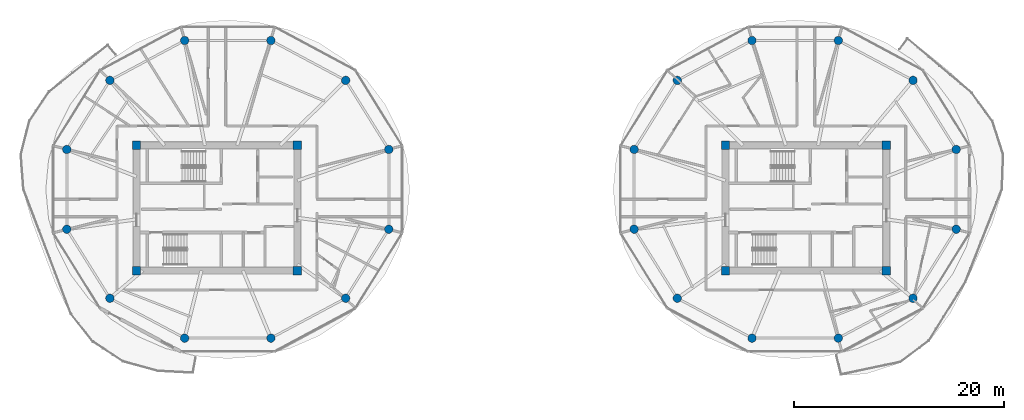
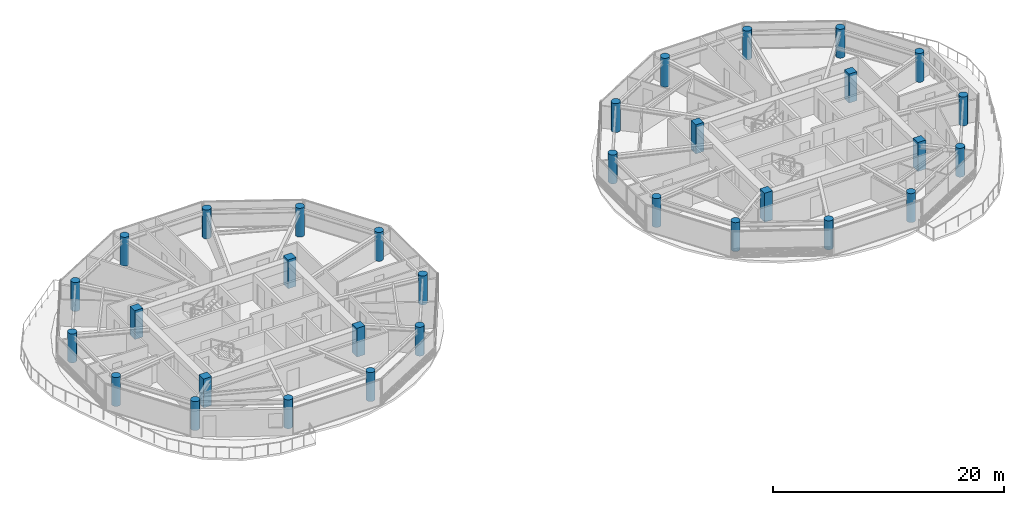
# One storey, part 1 of 23: 32 columns.
"""IFC4 building model written with IfcOpenShell, lengths in metres."""

from ifc_helpers import new_model, si_unit, direction, frame, origin, origin_2d, place, context, subcontext, project, spatial, rectangle, circle, extrude, source, transform, mapped, material, material_profile, profile_set, type_object, type_shapes, element, save


model = new_model("IFC4")

# Units and contexts
model_context = context("Model", 3, precision=1e-05, world=origin(), true_north=direction((0.0, 1.0)))
body_context = subcontext(model_context, "Body", "Model", "MODEL_VIEW")
ifc_project = project(units=[si_unit("LENGTHUNIT", "METRE"), si_unit("AREAUNIT", "SQUARE_METRE"), si_unit("VOLUMEUNIT", "CUBIC_METRE"), si_unit("PLANEANGLEUNIT", "RADIAN"), si_unit("MASSUNIT", "GRAM", prefix="KILO")], contexts=[model_context])

# Site, building, storey
site_placement = place(None, origin())
site = spatial("IfcSite", under=ifc_project, at=site_placement, CompositionType="ELEMENT")
building_placement = place(site_placement, origin())
building = spatial("IfcBuilding", under=site, at=building_placement, Name="Norrkilde Senior Care Towers", CompositionType="ELEMENT")
storey_placement = place(building_placement, frame((0.0, 0.0, 158.699951171875)))
storey = spatial("IfcBuildingStorey", under=building, at=storey_placement, Name="L49", CompositionType="ELEMENT", Elevation=158.699951171875)

# Columns
ifc_material_1 = material(Name="Concrete C60/75", Category="concrete")
ifc_material_profile_1 = material_profile(ifc_material_1, rectangle(XDim=0.800048828125, YDim=0.800048828125, at=origin_2d()), Name="RC COL 800x800")
ifc_profile_set_1 = profile_set([ifc_material_profile_1], Name="Concrete C60/75")
column_type_1 = type_object("IfcColumnType", Name="Column Core Corner Z3-Z4 800", PredefinedType="COLUMN", material=ifc_profile_set_1)
shared_shape_1 = source(origin(), body_context, "Body", "SweptSolid", [
    extrude(rectangle(XDim=0.800048828125, YDim=0.800048828125, at=origin_2d()), origin(), (0.0, 0.0, 1.0), 3.050048828125),
])
type_shapes(column_type_1, [shared_shape_1])
for number, where, z_axis, x_axis, name in (
    (1, (-35.64990234375, -5.949951171875, 0.0), (0.0, 0.0, 1.0), (1.0, 0.0, 0.0), "L49 Core W Corner Column 1"),
    (2, (-20.35009765625, -5.949951171875, 0.0), (0.0, 0.0, 1.0), (1.0, 0.0, 0.0), "L49 Core W Corner Column 2"),
    (3, (-20.35009765625, 5.949951171875, 0.0), (0.0, 0.0, 1.0), (1.0, 0.0, 0.0), "L49 Core W Corner Column 3"),
    (4, (-35.64990234375, 5.949951171875, 0.0), (0.0, 0.0, 1.0), (1.0, 0.0, 0.0), "L49 Core W Corner Column 4"),
    (5, (20.35009765625, -5.949951171875, 0.0), (0.0, 0.0, 1.0), (1.0, 0.0, 0.0), "L49 Core E Corner Column 1"),
    (6, (35.64990234375, -5.949951171875, 0.0), (0.0, 0.0, 1.0), (1.0, 0.0, 0.0), "L49 Core E Corner Column 2"),
    (7, (35.64990234375, 5.949951171875, 0.0), (0.0, 0.0, 1.0), (1.0, 0.0, 0.0), "L49 Core E Corner Column 3"),
    (8, (20.35009765625, 5.949951171875, 0.0), (0.0, 0.0, 1.0), (1.0, 0.0, 0.0), "L49 Core E Corner Column 4"),
):
    element("IfcColumn", number, at=place(storey_placement, frame(where, z_axis=z_axis, x_axis=x_axis)), inside=storey, type_object=column_type_1, Name=name, PredefinedType="COLUMN", context=body_context, shape_type="MappedRepresentation", body=[
        mapped(shared_shape_1, transform((0.0, 0.0, 0.0), x_axis=(1.0, 0.0, 0.0), y_axis=(0.0, 1.0, 0.0), z_axis=(0.0, 0.0, 1.0), scale=1.0)),
    ])
ifc_material_2 = material(Name="Concrete C50/60", Category="concrete")
ifc_material_profile_2 = material_profile(ifc_material_2, circle(Radius=0.39990234375, at=origin_2d()), Name="RC CIR 800")
ifc_profile_set_2 = profile_set([ifc_material_profile_2], Name="Concrete C50/60")
column_type_2 = type_object("IfcColumnType", Name="Column Perimeter Z3 800", PredefinedType="COLUMN", material=ifc_profile_set_2)
shared_shape_2 = source(origin(), body_context, "Body", "SweptSolid", [
    extrude(circle(Radius=0.39990234375, at=origin_2d()), origin(), (0.0, 0.0, 1.0), 3.050048828125),
])
type_shapes(column_type_2, [shared_shape_2])
for number, where, z_axis, x_axis, name in (
    (9, (-11.6650390625, 5.567138671875, 0.0), (0.0, 0.0, 1.0), (1.0, 0.0, 0.0), "L49 Drum W Perimeter Column 01"),
    (10, (-15.767333984375, 12.134521484375, 0.0), (0.0, 0.0, 1.0), (1.0, 0.0, 0.0), "L49 Drum W Perimeter Column 02"),
    (11, (-22.872802734375, 15.92626953125, 0.0), (0.0, 0.0, 1.0), (1.0, 0.0, 0.0), "L49 Drum W Perimeter Column 03"),
    (12, (-31.077392578125, 15.92626953125, 0.0), (0.0, 0.0, 1.0), (1.0, 0.0, 0.0), "L49 Drum W Perimeter Column 04"),
    (13, (-38.1826171875, 12.134521484375, 0.0), (0.0, 0.0, 1.0), (1.0, 0.0, 0.0), "L49 Drum W Perimeter Column 05"),
    (14, (-42.284912109375, 5.567138671875, 0.0), (0.0, 0.0, 1.0), (1.0, 0.0, 0.0), "L49 Drum W Perimeter Column 06"),
    (15, (-42.284912109375, -2.016357421875, 0.0), (0.0, 0.0, 1.0), (1.0, 0.0, 0.0), "L49 Drum W Perimeter Column 07"),
    (16, (-38.1826171875, -8.583740234375, 0.0), (0.0, 0.0, 1.0), (1.0, 0.0, 0.0), "L49 Drum W Perimeter Column 08"),
    (17, (-31.077392578125, -12.37548828125, 0.0), (0.0, 0.0, 1.0), (1.0, 0.0, 0.0), "L49 Drum W Perimeter Column 09"),
    (18, (-22.872802734375, -12.37548828125, 0.0), (0.0, 0.0, 1.0), (1.0, 0.0, 0.0), "L49 Drum W Perimeter Column 10"),
    (19, (-15.767333984375, -8.583740234375, 0.0), (0.0, 0.0, 1.0), (1.0, 0.0, 0.0), "L49 Drum W Perimeter Column 11"),
    (20, (-11.6650390625, -2.016357421875, 0.0), (0.0, 0.0, 1.0), (1.0, 0.0, 0.0), "L49 Drum W Perimeter Column 12"),
    (21, (42.284912109375, 5.567138671875, 0.0), (0.0, 0.0, 1.0), (1.0, 0.0, 0.0), "L49 Drum E Perimeter Column 01"),
    (22, (38.1826171875, 12.134521484375, 0.0), (0.0, 0.0, 1.0), (1.0, 0.0, 0.0), "L49 Drum E Perimeter Column 02"),
    (23, (31.077392578125, 15.92626953125, 0.0), (0.0, 0.0, 1.0), (1.0, 0.0, 0.0), "L49 Drum E Perimeter Column 03"),
    (24, (22.872802734375, 15.92626953125, 0.0), (0.0, 0.0, 1.0), (1.0, 0.0, 0.0), "L49 Drum E Perimeter Column 04"),
    (25, (15.767333984375, 12.134521484375, 0.0), (0.0, 0.0, 1.0), (1.0, 0.0, 0.0), "L49 Drum E Perimeter Column 05"),
    (26, (11.6650390625, 5.567138671875, 0.0), (0.0, 0.0, 1.0), (1.0, 0.0, 0.0), "L49 Drum E Perimeter Column 06"),
    (27, (11.6650390625, -2.016357421875, 0.0), (0.0, 0.0, 1.0), (1.0, 0.0, 0.0), "L49 Drum E Perimeter Column 07"),
    (28, (15.767333984375, -8.583740234375, 0.0), (0.0, 0.0, 1.0), (1.0, 0.0, 0.0), "L49 Drum E Perimeter Column 08"),
    (29, (22.872802734375, -12.37548828125, 0.0), (0.0, 0.0, 1.0), (1.0, 0.0, 0.0), "L49 Drum E Perimeter Column 09"),
    (30, (31.077392578125, -12.37548828125, 0.0), (0.0, 0.0, 1.0), (1.0, 0.0, 0.0), "L49 Drum E Perimeter Column 10"),
    (31, (38.1826171875, -8.583740234375, 0.0), (0.0, 0.0, 1.0), (1.0, 0.0, 0.0), "L49 Drum E Perimeter Column 11"),
    (32, (42.284912109375, -2.016357421875, 0.0), (0.0, 0.0, 1.0), (1.0, 0.0, 0.0), "L49 Drum E Perimeter Column 12"),
):
    element("IfcColumn", number, at=place(storey_placement, frame(where, z_axis=z_axis, x_axis=x_axis)), inside=storey, type_object=column_type_2, Name=name, PredefinedType="COLUMN", context=body_context, shape_type="MappedRepresentation", body=[
        mapped(shared_shape_2, transform((0.0, 0.0, 0.0), x_axis=(1.0, 0.0, 0.0), y_axis=(0.0, 1.0, 0.0), z_axis=(0.0, 0.0, 1.0), scale=1.0)),
    ])

save(model, "model.ifc")
